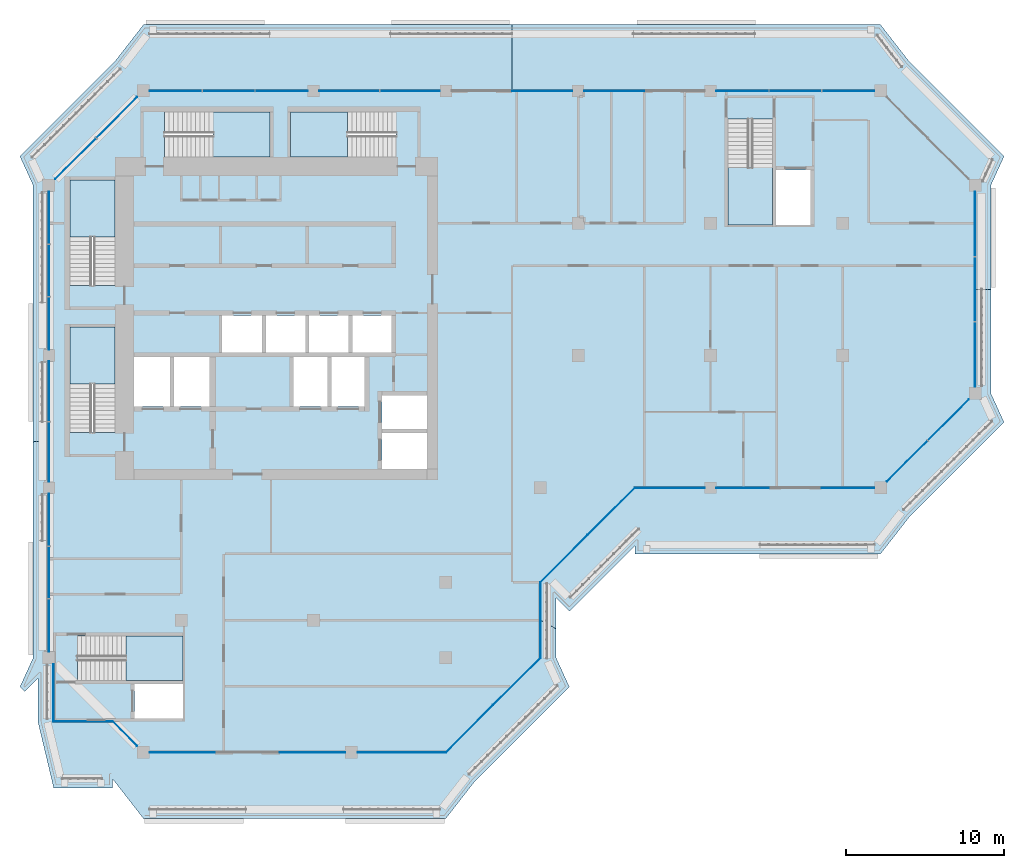
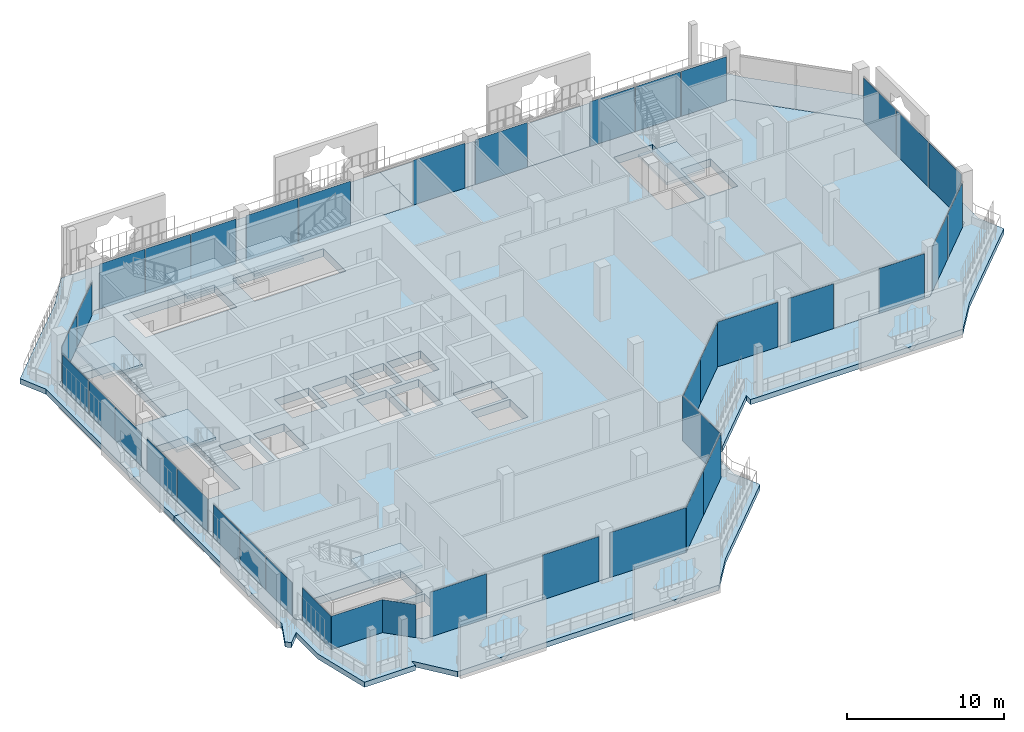
# One storey, part 9 of 21: 39 plates, 11 slabs, 19 elements without a shape of their own.
"""IFC4 building model written with IfcOpenShell, lengths in metres."""

import ifcopenshell
import ifcopenshell.guid

model = None  # the IFC model being written
_history = None  # IfcOwnerHistory: only IFC2X3 demands one
_inside = {}  # id of a spatial element -> (the spatial element, [elements in it])
_under = {}  # id of a project, library or spatial element -> (it, [spatial elements below it])
_declared = {}  # id of a project -> (the project, [libraries it declares])
_typed = {}  # id of a type object -> (the type object, [elements of that type])
_made_of = {}  # id of a material, layer set ... -> (it, [elements and type objects made of it])


def new_model(schema):
    """Start an empty IFC model of exactly this schema.

    Asked for "IFC4X3", IfcOpenShell would pick the latest addendum, in which some entities
    have other attributes; the version numbers below select the first issue.
    IFC2X3 requires an IfcOwnerHistory on every rooted entity: one is made here for all.
    """
    global model, _history
    if schema == "IFC4X3":
        model = ifcopenshell.file(schema_version=(4, 3, 0, 0))
    else:
        model = ifcopenshell.file(schema=schema)
    _inside.clear()
    _under.clear()
    _declared.clear()
    _typed.clear()
    _made_of.clear()
    _history = None
    if model.schema == "IFC2X3":
        org = make("IfcOrganization", Name="unknown")
        user = make(
            "IfcPersonAndOrganization",
            ThePerson=make("IfcPerson", FamilyName="unknown"),
            TheOrganization=org,
        )
        app = make(
            "IfcApplication",
            ApplicationDeveloper=org,
            Version="unknown",
            ApplicationFullName="unknown",
            ApplicationIdentifier="unknown",
        )
        _history = make(
            "IfcOwnerHistory",
            OwningUser=user,
            OwningApplication=app,
            ChangeAction="ADDED",
            CreationDate=0,
        )
    return model


def make(cls, **values):
    """One entity of the class cls with the attributes given. An attribute that is None is left unset."""
    return model.create_entity(
        cls, **{name: value for name, value in values.items() if value is not None}
    )


def rooted(cls, **values):
    """An entity with a GlobalId (a new one), such as an element, a storey or a relation."""
    return make(cls, GlobalId=ifcopenshell.guid.new(), OwnerHistory=_history, **values)


def si_unit(unit_type, name, prefix=None):
    """IfcSIUnit, for example si_unit("LENGTHUNIT", "METRE", prefix="MILLI")."""
    return make("IfcSIUnit", UnitType=unit_type, Prefix=prefix, Name=name)


def assignment(units):
    """IfcUnitAssignment: the units of a project."""
    return None if units is None else make("IfcUnitAssignment", Units=units)


def point(xyz):
    """IfcCartesianPoint."""
    return None if xyz is None else make("IfcCartesianPoint", Coordinates=xyz)


def direction(xyz):
    """IfcDirection."""
    return None if xyz is None else make("IfcDirection", DirectionRatios=xyz)


def frame(location, z_axis=None, x_axis=None):
    """IfcAxis2Placement3D, a coordinate frame: its origin and axes. An axis left out is left unset."""
    return make(
        "IfcAxis2Placement3D",
        Location=point(location),
        Axis=direction(z_axis),
        RefDirection=direction(x_axis),
    )


def frame_2d(location, x_axis=None):
    """IfcAxis2Placement2D, a coordinate frame in the plane: its origin and x axis."""
    return make(
        "IfcAxis2Placement2D", Location=point(location), RefDirection=direction(x_axis)
    )


def origin():
    """The frame at (0, 0, 0) with its axes left unset."""
    return frame((0.0, 0.0, 0.0))


def origin_2d():
    """The frame at (0, 0) in the plane with its x axis left unset."""
    return frame_2d((0.0, 0.0))


def place(relative_to, where):
    """IfcLocalPlacement: puts the frame where relative to a parent placement (None: the world)."""
    return make(
        "IfcLocalPlacement", PlacementRelTo=relative_to, RelativePlacement=where
    )


def context(
    kind, dimensions, precision=None, world=None, true_north=None, identifier=None
):
    """IfcGeometricRepresentationContext, for example the 3D "Model" context."""
    return make(
        "IfcGeometricRepresentationContext",
        ContextIdentifier=identifier,
        ContextType=kind,
        CoordinateSpaceDimension=dimensions,
        Precision=precision,
        WorldCoordinateSystem=world,
        TrueNorth=true_north,
    )


def subcontext(parent, identifier, kind, view, scale=None):
    """IfcGeometricRepresentationSubContext, for example "Body" below "Model"."""
    return make(
        "IfcGeometricRepresentationSubContext",
        ContextIdentifier=identifier,
        ContextType=kind,
        ParentContext=parent,
        TargetScale=scale,
        TargetView=view,
    )


def project(units=None, contexts=None):
    """IfcProject with its units and contexts."""
    return rooted(
        "IfcProject",
        Name="project",
        RepresentationContexts=contexts,
        UnitsInContext=assignment(units),
    )


def spatial(cls, under=None, at=None, **own):
    """A site, building, storey or space (cls), placed at a placement, below another one or the project."""
    s = rooted(cls, ObjectPlacement=at, **own)
    if under is not None:
        _under.setdefault(under.id(), (under, []))[1].append(s)
    return s


def polyline(points):
    """IfcPolyline through the points."""
    return make("IfcPolyline", Points=[point(p) for p in points])


def profile(cls, at=None, kind="AREA", **sizes):
    """A parametric profile (cls). Its sizes go by their IFC names, for example OverallWidth=200.0."""
    return make(cls, ProfileType=kind, Position=at, **sizes)


def rectangle(**sizes):
    """IfcRectangleProfileDef."""
    return profile("IfcRectangleProfileDef", **sizes)


def outline(outer, holes=None, kind="AREA"):
    """IfcArbitraryClosedProfileDef: a profile drawn as a closed curve; with holes, ...WithVoids."""
    if holes is None:
        return make("IfcArbitraryClosedProfileDef", ProfileType=kind, OuterCurve=outer)
    return make(
        "IfcArbitraryProfileDefWithVoids",
        ProfileType=kind,
        OuterCurve=outer,
        InnerCurves=holes,
    )


def extrude(swept, where, along, depth):
    """IfcExtrudedAreaSolid: the profile swept, set in the frame where, extruded along a direction by depth."""
    return make(
        "IfcExtrudedAreaSolid",
        SweptArea=swept,
        Position=where,
        ExtrudedDirection=direction(along),
        Depth=depth,
    )


def shape(context_of_items, identifier, shape_type, items):
    """IfcShapeRepresentation: the items that make up one representation, for example the "Body"."""
    return make(
        "IfcShapeRepresentation",
        ContextOfItems=context_of_items,
        RepresentationIdentifier=identifier,
        RepresentationType=shape_type,
        Items=items,
    )


def material(Name=None, Category=None):
    """IfcMaterial."""
    return make("IfcMaterial", Name=Name, Category=Category)


def layer(
    of_material, thickness, ventilated=None, Name=None, Category=None, Priority=None
):
    """IfcMaterialLayer: one layer of a wall or slab, of a material (None: an air gap)."""
    return make(
        "IfcMaterialLayer",
        Material=of_material,
        LayerThickness=thickness,
        IsVentilated=ventilated,
        Name=Name,
        Category=Category,
        Priority=Priority,
    )


def layer_set(layers, Name=None):
    """IfcMaterialLayerSet."""
    return make("IfcMaterialLayerSet", MaterialLayers=layers, LayerSetName=Name)


def made_of(thing, what):
    """Note that an element or type object is made of a material, layer set ...; save() writes the relation."""
    if what is not None:
        _made_of.setdefault(what.id(), (what, []))[1].append(thing)
    return thing


def type_object(cls, material=None, **own):
    """A type object (cls), such as IfcWallType, which elements share."""
    return made_of(rooted(cls, **own), material)


def element(
    cls,
    number,
    at=None,
    inside=None,
    cuts=None,
    type_object=None,
    material=None,
    context=None,
    identifier="Body",
    shape_type=None,
    held_by="IfcProductDefinitionShape",
    body=None,
    shapes=None,
    **own,
):
    """One element of the class cls, such as IfcWall. Its Tag is "e" and its number.

    at: its placement. inside: the storey or other place that contains it. cuts: it is an
    opening in that element (IfcRelVoidsElement). A single representation is given by context,
    identifier, shape_type and body (its items); several are given by shapes. held_by: the class
    of the entity that holds the representations. save() writes the other relations.
    """
    e = rooted(cls, Tag="e%d" % number, ObjectPlacement=at, **own)
    if body is not None:
        shapes = [shape(context, identifier, shape_type, body)]
    if shapes is not None:
        e.Representation = make(held_by, Representations=shapes)
    if inside is not None:
        _inside.setdefault(inside.id(), (inside, []))[1].append(e)
    if cuts is not None:
        rooted(
            "IfcRelVoidsElement", RelatingBuildingElement=cuts, RelatedOpeningElement=e
        )
    if type_object is not None:
        _typed.setdefault(type_object.id(), (type_object, []))[1].append(e)
    return made_of(e, material)


def aggregate(whole, parts):
    """IfcRelAggregates: a whole, such as a stair, and the parts it consists of."""
    return rooted("IfcRelAggregates", RelatingObject=whole, RelatedObjects=parts)


def save(model, path):
    """Write the relations noted so far, then the file.

    IfcRelAggregates (storeys below a building ...), IfcRelContainedInSpatialStructure (elements
    in a storey), IfcRelDefinesByType, IfcRelAssociatesMaterial and IfcRelDeclares: one each for
    every whole, place, type object, material and project.
    """
    for whole, parts in _under.values():
        aggregate(whole, parts)
    for where, things in _inside.values():
        rooted(
            "IfcRelContainedInSpatialStructure",
            RelatedElements=things,
            RelatingStructure=where,
        )
    for kind, things in _typed.values():
        rooted("IfcRelDefinesByType", RelatedObjects=things, RelatingType=kind)
    for what, things in _made_of.values():
        rooted("IfcRelAssociatesMaterial", RelatedObjects=things, RelatingMaterial=what)
    for by, libraries in _declared.values():
        rooted("IfcRelDeclares", RelatingContext=by, RelatedDefinitions=libraries)
    model.write(path)


model = new_model("IFC4")

# Units and contexts
model_context = context("Model", 3, precision=1e-05, world=origin(), true_north=direction((0.0, 1.0)))
body_context = subcontext(model_context, "Body", "Model", "MODEL_VIEW")
ifc_project = project(units=[si_unit("LENGTHUNIT", "METRE"), si_unit("AREAUNIT", "SQUARE_METRE"), si_unit("VOLUMEUNIT", "CUBIC_METRE"), si_unit("PLANEANGLEUNIT", "RADIAN"), si_unit("MASSUNIT", "GRAM", prefix="KILO")], contexts=[model_context])

# Site, building, storey
site_placement = place(None, origin())
site = spatial("IfcSite", under=ifc_project, at=site_placement, CompositionType="ELEMENT")
building_placement = place(site_placement, origin())
building = spatial("IfcBuilding", under=site, at=building_placement, Name="Kawkab Arch Medical Tower", CompositionType="ELEMENT")
storey_placement = place(building_placement, frame((0.0, 0.0, 311.199951171875)))
storey = spatial("IfcBuildingStorey", under=building, at=storey_placement, Name="L72", CompositionType="ELEMENT", Elevation=311.199951171875)

# Curtain wall, plates
ifc_material_1 = material(Name="Bronze anodised aluminium curtain wall frame", Category="aluminium")
ifc_layer_1 = layer(ifc_material_1, 0.159912109375)
ifc_layer_set_1 = layer_set([ifc_layer_1], Name="Bronze anodised aluminium curtain wall frame")
curtain_wall_type_1 = type_object("IfcCurtainWallType", Name="CW1 ward curtain wall", PredefinedType="NOTDEFINED", material=ifc_layer_set_1)
placement_1 = place(storey_placement, origin())
curtain_wall_1 = element("IfcCurtainWall", 1, at=placement_1, inside=storey, type_object=curtain_wall_type_1, Name="CW1 Ward curtain wall R02", PredefinedType="NOTDEFINED")
ifc_material_2 = material(Name="Tinted insulating glass, bronze low-e coating", Category="glass")
ifc_layer_2 = layer(ifc_material_2, 0.031982421875)
ifc_layer_set_2 = layer_set([ifc_layer_2], Name="Tinted insulating glass, bronze low-e coating")
plate_type_1 = type_object("IfcPlateType", Name="CW1 glazing unit 32", PredefinedType="CURTAIN_PANEL", material=ifc_layer_set_2)
plate_1_placement = place(storey_placement, frame((0.0, -8.055908203125, 0.0), z_axis=(0.0, 0.0, 1.0), x_axis=(0.0, -1.0, 0.0)))
plate_1 = element("IfcPlate", 2, at=plate_1_placement, type_object=plate_type_1, Name="CW1 glazing unit 1.1", PredefinedType="CURTAIN_PANEL", context=body_context, shape_type="SweptSolid", body=[
    extrude(rectangle(XDim=3.311767578125, YDim=0.031982421875, at=origin_2d()), origin(), (0.0, 0.0, 1.0), 2.580078125),
])
plate_2_placement = place(storey_placement, frame((0.0, -11.41259765625, 0.0), z_axis=(0.0, 0.0, 1.0), x_axis=(0.0, -1.0, 0.0)))
plate_2 = element("IfcPlate", 3, at=plate_2_placement, type_object=plate_type_1, Name="CW1 glazing unit 1.2", PredefinedType="CURTAIN_PANEL", context=body_context, shape_type="SweptSolid", body=[
    extrude(rectangle(XDim=3.28173828125, YDim=0.031982421875, at=origin_2d()), origin(), (0.0, 0.0, 1.0), 2.580078125),
])
plate_3_placement = place(storey_placement, frame((0.0, -14.769287109375, 0.0), z_axis=(0.0, 0.0, 1.0), x_axis=(0.0, -1.0, 0.0)))
plate_3 = element("IfcPlate", 4, at=plate_3_placement, type_object=plate_type_1, Name="CW1 glazing unit 1.3", PredefinedType="CURTAIN_PANEL", context=body_context, shape_type="SweptSolid", body=[
    extrude(rectangle(XDim=3.311767578125, YDim=0.031982421875, at=origin_2d()), origin(), (0.0, 0.0, 1.0), 2.580078125),
])
plate_4_placement = place(storey_placement, frame((0.0, -19.072509765625, 0.0), z_axis=(0.0, 0.0, 1.0), x_axis=(0.0, -1.0, 0.0)))
plate_4 = element("IfcPlate", 5, at=plate_4_placement, type_object=plate_type_1, Name="CW1 glazing unit 2.1", PredefinedType="CURTAIN_PANEL", context=body_context, shape_type="SweptSolid", body=[
    extrude(rectangle(XDim=3.794921875, YDim=0.031982421875, at=origin_2d()), origin(), (0.0, 0.0, 1.0), 2.580078125),
])
plate_5_placement = place(storey_placement, frame((0.0, -22.927490234375, 0.0), z_axis=(0.0, 0.0, 1.0), x_axis=(0.0, -1.0, 0.0)))
plate_5 = element("IfcPlate", 6, at=plate_5_placement, type_object=plate_type_1, Name="CW1 glazing unit 2.2", PredefinedType="CURTAIN_PANEL", context=body_context, shape_type="SweptSolid", body=[
    extrude(rectangle(XDim=3.794921875, YDim=0.031982421875, at=origin_2d()), origin(), (0.0, 0.0, 1.0), 2.580078125),
])
plate_6_placement = place(storey_placement, frame((0.0, -27.230712890625, 0.0), z_axis=(0.0, 0.0, 1.0), x_axis=(0.0, -1.0, 0.0)))
plate_6 = element("IfcPlate", 7, at=plate_6_placement, type_object=plate_type_1, Name="CW1 glazing unit 3.1", PredefinedType="CURTAIN_PANEL", context=body_context, shape_type="SweptSolid", body=[
    extrude(rectangle(XDim=3.311767578125, YDim=0.031982421875, at=origin_2d()), origin(), (0.0, 0.0, 1.0), 2.580078125),
])
plate_7_placement = place(storey_placement, frame((0.0, -30.58740234375, 0.0), z_axis=(0.0, 0.0, 1.0), x_axis=(0.0, -1.0, 0.0)))
plate_7 = element("IfcPlate", 8, at=plate_7_placement, type_object=plate_type_1, Name="CW1 glazing unit 3.2", PredefinedType="CURTAIN_PANEL", context=body_context, shape_type="SweptSolid", body=[
    extrude(rectangle(XDim=3.28173828125, YDim=0.031982421875, at=origin_2d()), origin(), (0.0, 0.0, 1.0), 2.580078125),
])
plate_8_placement = place(storey_placement, frame((0.0, -33.944091796875, 0.0), z_axis=(0.0, 0.0, 1.0), x_axis=(0.0, -1.0, 0.0)))
plate_8 = element("IfcPlate", 9, at=plate_8_placement, type_object=plate_type_1, Name="CW1 glazing unit 3.3", PredefinedType="CURTAIN_PANEL", context=body_context, shape_type="SweptSolid", body=[
    extrude(rectangle(XDim=3.311767578125, YDim=0.031982421875, at=origin_2d()), origin(), (0.0, 0.0, 1.0), 2.580078125),
])
aggregate(curtain_wall_1, [plate_1, plate_2, plate_3, plate_4, plate_5, plate_6, plate_7, plate_8])

# Curtain wall, plate
curtain_wall_2 = element("IfcCurtainWall", 10, at=placement_1, inside=storey, type_object=curtain_wall_type_1, Name="CW1 Ward curtain wall R04", PredefinedType="NOTDEFINED")
plate_9_placement = place(storey_placement, frame((0.300048828125, -38.22509765625, 0.0), z_axis=(0.0, 0.0, 1.0), x_axis=(0.0, -1.0, 0.0)))
plate_9 = element("IfcPlate", 11, at=plate_9_placement, type_object=plate_type_1, Name="CW1 glazing unit 1.1", PredefinedType="CURTAIN_PANEL", context=body_context, shape_type="SweptSolid", body=[
    extrude(rectangle(XDim=3.64990234375, YDim=0.031982421875, at=origin_2d()), origin(), (0.0, 0.0, 1.0), 2.580078125),
])
aggregate(curtain_wall_2, [plate_9])

curtain_wall_3 = element("IfcCurtainWall", 12, at=placement_1, inside=storey, type_object=curtain_wall_type_1, Name="CW1 Ward curtain wall R05", PredefinedType="NOTDEFINED")
plate_10_placement = place(storey_placement, frame((2.175048828125, -40.050048828125, 0.0), z_axis=(0.0, 0.0, 1.0), x_axis=(1.0, 0.0, 0.0)))
plate_10 = element("IfcPlate", 13, at=plate_10_placement, type_object=plate_type_1, Name="CW1 glazing unit 1.1", PredefinedType="CURTAIN_PANEL", context=body_context, shape_type="SweptSolid", body=[
    extrude(rectangle(XDim=3.75, YDim=0.031982421875, at=origin_2d()), origin(), (0.0, 0.0, 1.0), 2.580078125),
])
aggregate(curtain_wall_3, [plate_10])

# Curtain wall, plates
curtain_wall_4 = element("IfcCurtainWall", 14, at=placement_1, inside=storey, type_object=curtain_wall_type_1, Name="CW1 Ward curtain wall R07", PredefinedType="NOTDEFINED")
plate_11_placement = place(storey_placement, frame((8.466552734375, -42.0, 0.0), z_axis=(0.0, 0.0, 1.0), x_axis=(1.0, 0.0, 0.0)))
plate_11 = element("IfcPlate", 15, at=plate_11_placement, type_object=plate_type_1, Name="CW1 glazing unit 1.1", PredefinedType="CURTAIN_PANEL", context=body_context, shape_type="SweptSolid", body=[
    extrude(rectangle(XDim=4.13330078125, YDim=0.031982421875, at=origin_2d()), origin(), (0.0, 0.0, 1.0), 3.47998046875),
])
plate_12_placement = place(storey_placement, frame((16.7333984375, -42.0, 0.0), z_axis=(0.0, 0.0, 1.0), x_axis=(1.0, 0.0, 0.0)))
plate_12 = element("IfcPlate", 16, at=plate_12_placement, type_object=plate_type_1, Name="CW1 glazing unit 1.3", PredefinedType="CURTAIN_PANEL", context=body_context, shape_type="SweptSolid", body=[
    extrude(rectangle(XDim=4.13330078125, YDim=0.031982421875, at=origin_2d()), origin(), (0.0, 0.0, 1.0), 3.47998046875),
])
plate_13_placement = place(storey_placement, frame((22.39990234375, -42.0, 0.0), z_axis=(0.0, 0.0, 1.0), x_axis=(1.0, 0.0, 0.0)))
plate_13 = element("IfcPlate", 17, at=plate_13_placement, type_object=plate_type_1, Name="CW1 glazing unit 2.1", PredefinedType="CURTAIN_PANEL", context=body_context, shape_type="SweptSolid", body=[
    extrude(rectangle(XDim=5.60009765625, YDim=0.031982421875, at=origin_2d()), origin(), (0.0, 0.0, 1.0), 3.47998046875),
])
aggregate(curtain_wall_4, [plate_11, plate_12, plate_13])

# Curtain wall, plate
curtain_wall_5 = element("IfcCurtainWall", 18, at=placement_1, inside=storey, type_object=curtain_wall_type_1, Name="CW1 Ward curtain wall R09", PredefinedType="NOTDEFINED")
plate_14_placement = place(storey_placement, frame((31.199951171875, -33.60009765625, 0.0), z_axis=(0.0, 0.0, 1.0), x_axis=(0.0, 1.0, 0.0)))
plate_14 = element("IfcPlate", 19, at=plate_14_placement, type_object=plate_type_1, Name="CW1 glazing unit 1.1", PredefinedType="CURTAIN_PANEL", context=body_context, shape_type="SweptSolid", body=[
    extrude(rectangle(XDim=4.800048828125, YDim=0.031982421875, at=origin_2d()), origin(), (0.0, 0.0, 1.0), 3.47998046875),
])
aggregate(curtain_wall_5, [plate_14])

# Curtain wall, plates
curtain_wall_6 = element("IfcCurtainWall", 20, at=placement_1, inside=storey, type_object=curtain_wall_type_1, Name="CW1 Ward curtain wall R11", PredefinedType="NOTDEFINED")
plate_15_placement = place(storey_placement, frame((39.41259765625, -25.199951171875, 0.0), z_axis=(0.0, 0.0, 1.0), x_axis=(1.0, 0.0, 0.0)))
plate_15 = element("IfcPlate", 21, at=plate_15_placement, type_object=plate_type_1, Name="CW1 glazing unit 1.1", PredefinedType="CURTAIN_PANEL", context=body_context, shape_type="SweptSolid", body=[
    extrude(rectangle(XDim=4.425048828125, YDim=0.031982421875, at=origin_2d()), origin(), (0.0, 0.0, 1.0), 3.47998046875),
])
plate_16_placement = place(storey_placement, frame((44.0458984375, -25.199951171875, 0.0), z_axis=(0.0, 0.0, 1.0), x_axis=(1.0, 0.0, 0.0)))
plate_16 = element("IfcPlate", 22, at=plate_16_placement, type_object=plate_type_1, Name="CW1 glazing unit 2.1", PredefinedType="CURTAIN_PANEL", context=body_context, shape_type="SweptSolid", body=[
    extrude(rectangle(XDim=3.341552734375, YDim=0.031982421875, at=origin_2d()), origin(), (0.0, 0.0, 1.0), 3.47998046875),
])
plate_17_placement = place(storey_placement, frame((50.729248046875, -25.199951171875, 0.0), z_axis=(0.0, 0.0, 1.0), x_axis=(1.0, 0.0, 0.0)))
plate_17 = element("IfcPlate", 23, at=plate_17_placement, type_object=plate_type_1, Name="CW1 glazing unit 2.3", PredefinedType="CURTAIN_PANEL", context=body_context, shape_type="SweptSolid", body=[
    extrude(rectangle(XDim=3.341552734375, YDim=0.031982421875, at=origin_2d()), origin(), (0.0, 0.0, 1.0), 3.47998046875),
])
aggregate(curtain_wall_6, [plate_15, plate_16, plate_17])

curtain_wall_7 = element("IfcCurtainWall", 24, at=placement_1, inside=storey, type_object=curtain_wall_type_1, Name="CW1 Ward curtain wall R13", PredefinedType="NOTDEFINED")
plate_18_placement = place(storey_placement, frame((58.800048828125, -16.748291015625, 0.0), z_axis=(0.0, 0.0, 1.0), x_axis=(0.0, 1.0, 0.0)))
plate_18 = element("IfcPlate", 25, at=plate_18_placement, type_object=plate_type_1, Name="CW1 glazing unit 1.1", PredefinedType="CURTAIN_PANEL", context=body_context, shape_type="SweptSolid", body=[
    extrude(rectangle(XDim=4.103271484375, YDim=0.031982421875, at=origin_2d()), origin(), (0.0, 0.0, 1.0), 3.47998046875),
])
plate_19_placement = place(storey_placement, frame((58.800048828125, -12.60009765625, 0.0), z_axis=(0.0, 0.0, 1.0), x_axis=(0.0, 1.0, 0.0)))
plate_19 = element("IfcPlate", 26, at=plate_19_placement, type_object=plate_type_1, Name="CW1 glazing unit 1.2", PredefinedType="CURTAIN_PANEL", context=body_context, shape_type="SweptSolid", body=[
    extrude(rectangle(XDim=4.0732421875, YDim=0.031982421875, at=origin_2d()), origin(), (0.0, 0.0, 1.0), 3.47998046875),
])
plate_20_placement = place(storey_placement, frame((58.800048828125, -8.45166015625, 0.0), z_axis=(0.0, 0.0, 1.0), x_axis=(0.0, 1.0, 0.0)))
plate_20 = element("IfcPlate", 27, at=plate_20_placement, type_object=plate_type_1, Name="CW1 glazing unit 1.3", PredefinedType="CURTAIN_PANEL", context=body_context, shape_type="SweptSolid", body=[
    extrude(rectangle(XDim=4.103271484375, YDim=0.031982421875, at=origin_2d()), origin(), (0.0, 0.0, 1.0), 3.47998046875),
])
aggregate(curtain_wall_7, [plate_18, plate_19, plate_20])

curtain_wall_8 = element("IfcCurtainWall", 28, at=placement_1, inside=storey, type_object=curtain_wall_type_1, Name="CW1 Ward curtain wall R15", PredefinedType="NOTDEFINED")
plate_21_placement = place(storey_placement, frame((50.744140625, 0.0, 0.0), z_axis=(0.0, 0.0, 1.0), x_axis=(-1.0, 0.0, 0.0)))
plate_21 = element("IfcPlate", 29, at=plate_21_placement, type_object=plate_type_1, Name="CW1 glazing unit 1.1", PredefinedType="CURTAIN_PANEL", context=body_context, shape_type="SweptSolid", body=[
    extrude(rectangle(XDim=3.311767578125, YDim=0.031982421875, at=origin_2d()), origin(), (0.0, 0.0, 1.0), 3.47998046875),
])
plate_22_placement = place(storey_placement, frame((47.387451171875, 0.0, 0.0), z_axis=(0.0, 0.0, 1.0), x_axis=(-1.0, 0.0, 0.0)))
plate_22 = element("IfcPlate", 30, at=plate_22_placement, type_object=plate_type_1, Name="CW1 glazing unit 1.2", PredefinedType="CURTAIN_PANEL", context=body_context, shape_type="SweptSolid", body=[
    extrude(rectangle(XDim=3.28173828125, YDim=0.031982421875, at=origin_2d()), origin(), (0.0, 0.0, 1.0), 3.47998046875),
])
plate_23_placement = place(storey_placement, frame((44.03076171875, 0.0, 0.0), z_axis=(0.0, 0.0, 1.0), x_axis=(-1.0, 0.0, 0.0)))
plate_23 = element("IfcPlate", 31, at=plate_23_placement, type_object=plate_type_1, Name="CW1 glazing unit 1.3", PredefinedType="CURTAIN_PANEL", context=body_context, shape_type="SweptSolid", body=[
    extrude(rectangle(XDim=3.311767578125, YDim=0.031982421875, at=origin_2d()), origin(), (0.0, 0.0, 1.0), 3.47998046875),
])
plate_24_placement = place(storey_placement, frame((35.887451171875, 0.0, 0.0), z_axis=(0.0, 0.0, 1.0), x_axis=(-1.0, 0.0, 0.0)))
plate_24 = element("IfcPlate", 32, at=plate_24_placement, type_object=plate_type_1, Name="CW1 glazing unit 2.2", PredefinedType="CURTAIN_PANEL", context=body_context, shape_type="SweptSolid", body=[
    extrude(rectangle(XDim=3.824951171875, YDim=0.031982421875, at=origin_2d()), origin(), (0.0, 0.0, 1.0), 3.47998046875),
])
plate_25_placement = place(storey_placement, frame((31.3125, 0.0, 0.0), z_axis=(0.0, 0.0, 1.0), x_axis=(-1.0, 0.0, 0.0)))
plate_25 = element("IfcPlate", 33, at=plate_25_placement, type_object=plate_type_1, Name="CW1 glazing unit 3.1", PredefinedType="CURTAIN_PANEL", context=body_context, shape_type="SweptSolid", body=[
    extrude(rectangle(XDim=3.824951171875, YDim=0.031982421875, at=origin_2d()), origin(), (0.0, 0.0, 1.0), 3.47998046875),
])
plate_26_placement = place(storey_placement, frame((22.927490234375, 0.0, 0.0), z_axis=(0.0, 0.0, 1.0), x_axis=(-1.0, 0.0, 0.0)))
plate_26 = element("IfcPlate", 34, at=plate_26_placement, type_object=plate_type_1, Name="CW1 glazing unit 4.1", PredefinedType="CURTAIN_PANEL", context=body_context, shape_type="SweptSolid", body=[
    extrude(rectangle(XDim=3.794921875, YDim=0.031982421875, at=origin_2d()), origin(), (0.0, 0.0, 1.0), 3.47998046875),
])
plate_27_placement = place(storey_placement, frame((19.072509765625, 0.0, 0.0), z_axis=(0.0, 0.0, 1.0), x_axis=(-1.0, 0.0, 0.0)))
plate_27 = element("IfcPlate", 35, at=plate_27_placement, type_object=plate_type_1, Name="CW1 glazing unit 4.2", PredefinedType="CURTAIN_PANEL", context=body_context, shape_type="SweptSolid", body=[
    extrude(rectangle(XDim=3.794921875, YDim=0.031982421875, at=origin_2d()), origin(), (0.0, 0.0, 1.0), 3.47998046875),
])
plate_28_placement = place(storey_placement, frame((14.769287109375, 0.0, 0.0), z_axis=(0.0, 0.0, 1.0), x_axis=(-1.0, 0.0, 0.0)))
plate_28 = element("IfcPlate", 36, at=plate_28_placement, type_object=plate_type_1, Name="CW1 glazing unit 5.1", PredefinedType="CURTAIN_PANEL", context=body_context, shape_type="SweptSolid", body=[
    extrude(rectangle(XDim=3.311767578125, YDim=0.031982421875, at=origin_2d()), origin(), (0.0, 0.0, 1.0), 3.47998046875),
])
plate_29_placement = place(storey_placement, frame((11.41259765625, 0.0, 0.0), z_axis=(0.0, 0.0, 1.0), x_axis=(-1.0, 0.0, 0.0)))
plate_29 = element("IfcPlate", 37, at=plate_29_placement, type_object=plate_type_1, Name="CW1 glazing unit 5.2", PredefinedType="CURTAIN_PANEL", context=body_context, shape_type="SweptSolid", body=[
    extrude(rectangle(XDim=3.28173828125, YDim=0.031982421875, at=origin_2d()), origin(), (0.0, 0.0, 1.0), 3.47998046875),
])
plate_30_placement = place(storey_placement, frame((8.055908203125, 0.0, 0.0), z_axis=(0.0, 0.0, 1.0), x_axis=(-1.0, 0.0, 0.0)))
plate_30 = element("IfcPlate", 38, at=plate_30_placement, type_object=plate_type_1, Name="CW1 glazing unit 5.3", PredefinedType="CURTAIN_PANEL", context=body_context, shape_type="SweptSolid", body=[
    extrude(rectangle(XDim=3.311767578125, YDim=0.031982421875, at=origin_2d()), origin(), (0.0, 0.0, 1.0), 3.47998046875),
])
aggregate(curtain_wall_8, [plate_21, plate_22, plate_23, plate_24, plate_25, plate_26, plate_27, plate_28, plate_29, plate_30])

ifc_material_3 = material(Name="Bronze anodised aluminium curtain wall frame", Category="aluminium")
ifc_layer_3 = layer(ifc_material_3, 0.159912109375)
ifc_layer_set_3 = layer_set([ifc_layer_3], Name="Bronze anodised aluminium curtain wall frame")
curtain_wall_type_2 = type_object("IfcCurtainWallType", Name="CW2 chamfer curtain wall", PredefinedType="NOTDEFINED", material=ifc_layer_set_3)
curtain_wall_9 = element("IfcCurtainWall", 39, at=placement_1, inside=storey, type_object=curtain_wall_type_2, Name="CW2 Chamfer curtain wall R01", PredefinedType="NOTDEFINED")
ifc_material_4 = material(Name="Tinted insulating glass, bronze low-e coating", Category="glass")
ifc_layer_4 = layer(ifc_material_4, 0.031982421875)
ifc_layer_set_4 = layer_set([ifc_layer_4], Name="Tinted insulating glass, bronze low-e coating")
plate_type_2 = type_object("IfcPlateType", Name="CW2 glazing unit 32", PredefinedType="CURTAIN_PANEL", material=ifc_layer_set_4)
plate_31_placement = place(storey_placement, frame((4.310546875, -1.689453125, 0.0), z_axis=(0.0, 0.0, 1.0), x_axis=(-0.707106781187, -0.707106781187, 0.0)))
plate_31 = element("IfcPlate", 40, at=plate_31_placement, type_object=plate_type_2, Name="CW2 glazing unit 1.1", PredefinedType="CURTAIN_PANEL", context=body_context, shape_type="SweptSolid", body=[
    extrude(rectangle(XDim=3.64697265625, YDim=0.031982421875, at=origin_2d()), origin(), (0.0, 0.0, 1.0), 2.56005859375),
])
plate_32_placement = place(storey_placement, frame((1.689453125, -4.310546875, 0.0), z_axis=(0.0, 0.0, 1.0), x_axis=(-0.707106781187, -0.707106781187, 0.0)))
plate_32 = element("IfcPlate", 41, at=plate_32_placement, type_object=plate_type_2, Name="CW2 glazing unit 1.2", PredefinedType="CURTAIN_PANEL", context=body_context, shape_type="SweptSolid", body=[
    extrude(rectangle(XDim=3.64697265625, YDim=0.031982421875, at=origin_2d()), origin(), (0.0, 0.0, 1.0), 2.56005859375),
])
aggregate(curtain_wall_9, [plate_31, plate_32])

# Curtain wall, plate
curtain_wall_10 = element("IfcCurtainWall", 42, at=placement_1, inside=storey, type_object=curtain_wall_type_2, Name="CW2 Chamfer curtain wall R06", PredefinedType="NOTDEFINED")
plate_33_placement = place(storey_placement, frame((4.824951171875, -40.824951171875, 0.0), z_axis=(0.0, 0.0, 1.0), x_axis=(0.707106781187, -0.707106781187, 0.0)))
plate_33 = element("IfcPlate", 43, at=plate_33_placement, type_object=plate_type_2, Name="CW2 glazing unit 1.1", PredefinedType="CURTAIN_PANEL", context=body_context, shape_type="SweptSolid", body=[
    extrude(rectangle(XDim=2.192138671875, YDim=0.031982421875, at=origin_2d()), origin(), (0.0, 0.0, 1.0), 2.56005859375),
])
aggregate(curtain_wall_10, [plate_33])

# Curtain wall, plates
curtain_wall_11 = element("IfcCurtainWall", 44, at=placement_1, inside=storey, type_object=curtain_wall_type_2, Name="CW2 Chamfer curtain wall R08", PredefinedType="NOTDEFINED")
plate_34_placement = place(storey_placement, frame((26.699951171875, -40.5, 0.0), z_axis=(0.0, 0.0, 1.0), x_axis=(0.707106781187, 0.707106781187, 0.0)))
plate_34 = element("IfcPlate", 45, at=plate_34_placement, type_object=plate_type_2, Name="CW2 glazing unit 1.1", PredefinedType="CURTAIN_PANEL", context=body_context, shape_type="SweptSolid", body=[
    extrude(rectangle(XDim=4.24267578125, YDim=0.031982421875, at=origin_2d()), origin(), (0.0, 0.0, 1.0), 3.4599609375),
])
plate_35_placement = place(storey_placement, frame((29.699951171875, -37.5, 0.0), z_axis=(0.0, 0.0, 1.0), x_axis=(0.707106781187, 0.707106781187, 0.0)))
plate_35 = element("IfcPlate", 46, at=plate_35_placement, type_object=plate_type_2, Name="CW2 glazing unit 2.1", PredefinedType="CURTAIN_PANEL", context=body_context, shape_type="SweptSolid", body=[
    extrude(rectangle(XDim=4.24267578125, YDim=0.031982421875, at=origin_2d()), origin(), (0.0, 0.0, 1.0), 3.4599609375),
])
aggregate(curtain_wall_11, [plate_34, plate_35])

curtain_wall_12 = element("IfcCurtainWall", 47, at=placement_1, inside=storey, type_object=curtain_wall_type_2, Name="CW2 Chamfer curtain wall R10", PredefinedType="NOTDEFINED")
plate_36_placement = place(storey_placement, frame((32.699951171875, -29.699951171875, 0.0), z_axis=(0.0, 0.0, 1.0), x_axis=(0.707106781187, 0.707106781187, 0.0)))
plate_36 = element("IfcPlate", 48, at=plate_36_placement, type_object=plate_type_2, Name="CW2 glazing unit 1.1", PredefinedType="CURTAIN_PANEL", context=body_context, shape_type="SweptSolid", body=[
    extrude(rectangle(XDim=4.24267578125, YDim=0.031982421875, at=origin_2d()), origin(), (0.0, 0.0, 1.0), 3.4599609375),
])
plate_37_placement = place(storey_placement, frame((35.699951171875, -26.699951171875, 0.0), z_axis=(0.0, 0.0, 1.0), x_axis=(0.707106781187, 0.707106781187, 0.0)))
plate_37 = element("IfcPlate", 49, at=plate_37_placement, type_object=plate_type_2, Name="CW2 glazing unit 2.1", PredefinedType="CURTAIN_PANEL", context=body_context, shape_type="SweptSolid", body=[
    extrude(rectangle(XDim=4.24267578125, YDim=0.031982421875, at=origin_2d()), origin(), (0.0, 0.0, 1.0), 3.4599609375),
])
aggregate(curtain_wall_12, [plate_36, plate_37])

curtain_wall_13 = element("IfcCurtainWall", 50, at=placement_1, inside=storey, type_object=curtain_wall_type_2, Name="CW2 Chamfer curtain wall R12", PredefinedType="NOTDEFINED")
plate_38_placement = place(storey_placement, frame((54.489501953125, -23.510498046875, 0.0), z_axis=(0.0, 0.0, 1.0), x_axis=(0.707106781187, 0.707106781187, 0.0)))
plate_38 = element("IfcPlate", 51, at=plate_38_placement, type_object=plate_type_2, Name="CW2 glazing unit 1.1", PredefinedType="CURTAIN_PANEL", context=body_context, shape_type="SweptSolid", body=[
    extrude(rectangle(XDim=3.64697265625, YDim=0.031982421875, at=origin_2d()), origin(), (0.0, 0.0, 1.0), 3.4599609375),
])
plate_39_placement = place(storey_placement, frame((57.110595703125, -20.889404296875, 0.0), z_axis=(0.0, 0.0, 1.0), x_axis=(0.707106781187, 0.707106781187, 0.0)))
plate_39 = element("IfcPlate", 52, at=plate_39_placement, type_object=plate_type_2, Name="CW2 glazing unit 1.2", PredefinedType="CURTAIN_PANEL", context=body_context, shape_type="SweptSolid", body=[
    extrude(rectangle(XDim=3.64697265625, YDim=0.031982421875, at=origin_2d()), origin(), (0.0, 0.0, 1.0), 3.4599609375),
])
aggregate(curtain_wall_13, [plate_38, plate_39])

# Stair, slab
ifc_material_5 = material(Name="Concrete C40/50", Category="concrete")
stair_type = type_object("IfcStairType", Name="Exit stair 1350", PredefinedType="HALF_TURN_STAIR", material=ifc_material_5)
stair_1 = element("IfcStair", 53, at=placement_1, inside=storey, type_object=stair_type, Name="L72 Exit stair ST1", PredefinedType="HALF_TURN_STAIR")
ifc_material_6 = material(Name="Concrete C40/50", Category="concrete")
ifc_layer_5 = layer(ifc_material_6, 0.199951171875)
ifc_layer_set_5 = layer_set([ifc_layer_5], Name="Concrete C40/50")
slab_type_1 = type_object("IfcSlabType", Name="Exit stair landing 200", PredefinedType="LANDING", material=ifc_layer_set_5)
placement_2 = place(storey_placement, frame((0.0, 0.0, 1.900146484375)))
slab_1 = element("IfcSlab", 54, at=placement_2, type_object=slab_type_1, Name="ST1 landing 1", PredefinedType="LANDING", context=body_context, shape_type="SweptSolid", body=[
    extrude(outline(polyline([(4.199951171875, -9.27001953125), (4.199951171875, -5.64990234375), (1.35009765625, -5.64990234375), (1.35009765625, -9.27001953125), (4.199951171875, -9.27001953125)])), origin(), (0.0, 0.0, 1.0), 0.199951171875),
])
aggregate(stair_1, [slab_1])

stair_2 = element("IfcStair", 55, at=placement_1, inside=storey, type_object=stair_type, Name="L72 Exit stair ST2", PredefinedType="HALF_TURN_STAIR")
slab_2 = element("IfcSlab", 56, at=placement_2, type_object=slab_type_1, Name="ST2 landing 1", PredefinedType="LANDING", context=body_context, shape_type="SweptSolid", body=[
    extrude(outline(polyline([(4.199951171875, -18.6201171875), (4.199951171875, -15.0), (1.35009765625, -15.0), (1.35009765625, -18.6201171875), (4.199951171875, -18.6201171875)])), origin(), (0.0, 0.0, 1.0), 0.199951171875),
])
aggregate(stair_2, [slab_2])

stair_3 = element("IfcStair", 57, at=placement_1, inside=storey, type_object=stair_type, Name="L72 Exit stair ST3", PredefinedType="HALF_TURN_STAIR")
slab_3 = element("IfcSlab", 58, at=placement_2, type_object=slab_type_1, Name="ST3 landing 1", PredefinedType="LANDING", context=body_context, shape_type="SweptSolid", body=[
    extrude(outline(polyline([(10.429931640625, -4.199951171875), (14.050048828125, -4.199951171875), (14.050048828125, -1.35009765625), (10.429931640625, -1.35009765625), (10.429931640625, -4.199951171875)])), origin(), (0.0, 0.0, 1.0), 0.199951171875),
])
aggregate(stair_3, [slab_3])

stair_4 = element("IfcStair", 59, at=placement_1, inside=storey, type_object=stair_type, Name="L72 Exit stair ST4", PredefinedType="HALF_TURN_STAIR")
slab_4 = element("IfcSlab", 60, at=placement_2, type_object=slab_type_1, Name="ST4 landing 1", PredefinedType="LANDING", context=body_context, shape_type="SweptSolid", body=[
    extrude(outline(polyline([(18.969970703125, -1.35009765625), (15.35009765625, -1.35009765625), (15.35009765625, -4.199951171875), (18.969970703125, -4.199951171875), (18.969970703125, -1.35009765625)])), origin(), (0.0, 0.0, 1.0), 0.199951171875),
])
aggregate(stair_4, [slab_4])

stair_5 = element("IfcStair", 61, at=placement_1, inside=storey, type_object=stair_type, Name="L72 Exit stair ST5", PredefinedType="HALF_TURN_STAIR")
slab_5 = element("IfcSlab", 62, at=placement_2, type_object=slab_type_1, Name="ST5 landing 1", PredefinedType="LANDING", context=body_context, shape_type="SweptSolid", body=[
    extrude(outline(polyline([(43.10009765625, -4.8798828125), (43.10009765625, -8.5), (45.949951171875, -8.5), (45.949951171875, -4.8798828125), (43.10009765625, -4.8798828125)])), origin(), (0.0, 0.0, 1.0), 0.199951171875),
])
aggregate(stair_5, [slab_5])

stair_6 = element("IfcStair", 63, at=placement_1, inside=storey, type_object=stair_type, Name="L72 Exit stair ST6", PredefinedType="HALF_TURN_STAIR")
slab_6 = element("IfcSlab", 64, at=placement_2, type_object=slab_type_1, Name="ST6 landing 1", PredefinedType="LANDING", context=body_context, shape_type="SweptSolid", body=[
    extrude(outline(polyline([(4.8798828125, -37.449951171875), (8.5, -37.449951171875), (8.5, -34.60009765625), (4.8798828125, -34.60009765625), (4.8798828125, -37.449951171875)])), origin(), (0.0, 0.0, 1.0), 0.199951171875),
])
aggregate(stair_6, [slab_6])

# Slabs
ifc_material_7 = material(Name="Concrete C45/55", Category="concrete")
ifc_layer_6 = layer(ifc_material_7, 0.60009765625)
ifc_layer_set_6 = layer_set([ifc_layer_6], Name="Concrete C45/55")
slab_type_2 = type_object("IfcSlabType", Name="Flat plate 600 C45/55", PredefinedType="FLOOR", material=ifc_layer_set_6)
slab_7_placement = place(storey_placement, frame((0.0, 0.0, -0.599853515625)))
element("IfcSlab", 65, at=slab_7_placement, inside=storey, type_object=slab_type_2, Name="Floor slab L72", PredefinedType="FLOOR", context=body_context, shape_type="SweptSolid", body=[
    extrude(outline(polyline([(52.800048828125, 0.0), (58.800048828125, -6.0), (58.800048828125, -19.199951171875), (52.800048828125, -25.199951171875), (37.199951171875, -25.199951171875), (31.199951171875, -31.199951171875), (31.199951171875, -36.0), (25.199951171875, -42.0), (6.0, -42.0), (4.050048828125, -40.050048828125), (0.300048828125, -40.050048828125), (0.300048828125, -36.300048828125), (0.0, -36.0), (0.0, -6.0), (6.0, 0.0), (52.800048828125, 0.0)]), holes=[polyline([(5.425048828125, -37.64990234375), (5.425048828125, -39.85009765625), (8.5, -39.85009765625), (8.5, -37.64990234375), (5.425048828125, -37.64990234375)]), polyline([(8.5, -37.449951171875), (8.5, -34.60009765625), (1.800048828125, -34.60009765625), (1.800048828125, -37.449951171875), (8.5, -37.449951171875)]), polyline([(5.39990234375, -20.050048828125), (7.675048828125, -20.050048828125), (7.675048828125, -16.89990234375), (5.39990234375, -16.89990234375), (5.39990234375, -20.050048828125)]), polyline([(10.199951171875, -16.89990234375), (7.925048828125, -16.89990234375), (7.925048828125, -20.050048828125), (10.199951171875, -20.050048828125), (10.199951171875, -16.89990234375)]), polyline([(4.199951171875, -15.0), (1.35009765625, -15.0), (1.35009765625, -21.699951171875), (4.199951171875, -21.699951171875), (4.199951171875, -15.0)]), polyline([(11.0, -16.60009765625), (13.52490234375, -16.60009765625), (13.52490234375, -14.25), (11.0, -14.25), (11.0, -16.60009765625)]), polyline([(13.77490234375, -14.25), (13.77490234375, -16.60009765625), (16.27490234375, -16.60009765625), (16.27490234375, -14.25), (13.77490234375, -14.25)]), polyline([(4.199951171875, -12.35009765625), (4.199951171875, -5.64990234375), (1.35009765625, -5.64990234375), (1.35009765625, -12.35009765625), (4.199951171875, -12.35009765625)]), polyline([(7.35009765625, -4.199951171875), (14.050048828125, -4.199951171875), (14.050048828125, -1.35009765625), (7.35009765625, -1.35009765625), (7.35009765625, -4.199951171875)]), polyline([(24.0, -21.72509765625), (21.14990234375, -21.72509765625), (21.14990234375, -24.0), (24.0, -24.0), (24.0, -21.72509765625)]), polyline([(24.0, -19.35009765625), (21.14990234375, -19.35009765625), (21.14990234375, -21.47509765625), (24.0, -21.47509765625), (24.0, -19.35009765625)]), polyline([(15.52490234375, -20.050048828125), (17.675048828125, -20.050048828125), (17.675048828125, -16.89990234375), (15.52490234375, -16.89990234375), (15.52490234375, -20.050048828125)]), polyline([(17.925048828125, -20.050048828125), (20.050048828125, -20.050048828125), (20.050048828125, -16.89990234375), (17.925048828125, -16.89990234375), (17.925048828125, -20.050048828125)]), polyline([(16.52490234375, -14.25), (16.52490234375, -16.60009765625), (19.02490234375, -16.60009765625), (19.02490234375, -14.25), (16.52490234375, -14.25)]), polyline([(19.27490234375, -16.60009765625), (21.75, -16.60009765625), (21.75, -14.25), (19.27490234375, -14.25), (19.27490234375, -16.60009765625)]), polyline([(46.14990234375, -8.5), (48.35009765625, -8.5), (48.35009765625, -5.02490234375), (46.14990234375, -5.02490234375), (46.14990234375, -8.5)]), polyline([(43.10009765625, -1.800048828125), (43.10009765625, -8.5), (45.949951171875, -8.5), (45.949951171875, -1.800048828125), (43.10009765625, -1.800048828125)]), polyline([(22.050048828125, -1.35009765625), (15.35009765625, -1.35009765625), (15.35009765625, -4.199951171875), (22.050048828125, -4.199951171875), (22.050048828125, -1.35009765625)])]), origin(), (0.0, 0.0, 1.0), 0.599853515625),
])
ifc_material_8 = material(Name="Concrete C40/50", Category="concrete")
ifc_layer_7 = layer(ifc_material_8, 0.39990234375)
ifc_layer_set_7 = layer_set([ifc_layer_7], Name="Concrete C40/50")
slab_type_3 = type_object("IfcSlabType", Name="Loggia slab 400", PredefinedType="FLOOR", material=ifc_layer_set_7)
placement_3 = place(storey_placement, frame((0.0, 0.0, -0.39990234375)))
element("IfcSlab", 66, at=placement_3, inside=storey, type_object=slab_type_3, Name="Loggia slab L72.1", PredefinedType="FLOOR", context=body_context, shape_type="SweptSolid", body=[
    extrude(outline(polyline([(-1.0, -36.0), (-1.0, -22.280029296875), (-0.0009765625, -22.22705078125), (-0.0009765625, -36.0), (0.0, -36.0), (0.299072265625, -36.300048828125), (0.299072265625, -40.050048828125), (4.050048828125, -40.050048828125), (6.0, -42.0), (6.0, -42.0009765625), (25.199951171875, -42.0009765625), (25.199951171875, -42.0), (31.199951171875, -36.0), (31.199951171875, -33.60107421875), (32.199951171875, -34.156005859375), (32.199951171875, -36.0), (33.0380859375, -37.837890625), (27.0380859375, -43.837890625), (25.199951171875, -46.199951171875), (6.0, -46.199951171875), (4.162109375, -43.837890625), (4.050048828125, -43.72607421875), (4.050048828125, -44.25), (0.300048828125, -44.25), (-0.699951171875, -40.050048828125), (-0.699951171875, -37.299072265625), (-1.5380859375, -38.136962890625), (-1.837890625, -37.837890625), (-1.0, -36.0)])), origin(), (0.0, 0.0, 1.0), 0.39990234375),
])
element("IfcSlab", 67, at=placement_3, inside=storey, type_object=slab_type_3, Name="Loggia slab L72.2", PredefinedType="FLOOR", context=body_context, shape_type="SweptSolid", body=[
    extrude(outline(polyline([(31.199951171875, -31.199951171875), (37.199951171875, -25.199951171875), (52.800048828125, -25.199951171875), (58.800048828125, -19.199951171875), (58.800048828125, -12.60009765625), (59.800048828125, -12.60009765625), (59.800048828125, -19.199951171875), (60.637939453125, -21.0380859375), (54.637939453125, -27.0380859375), (52.800048828125, -29.39990234375), (37.199951171875, -29.39990234375), (37.199951171875, -28.8759765625), (33.0380859375, -33.037109375), (32.199951171875, -32.198974609375), (32.199951171875, -34.155029296875), (31.199951171875, -33.60009765625), (31.199951171875, -31.199951171875)])), origin(), (0.0, 0.0, 1.0), 0.39990234375),
])
element("IfcSlab", 68, at=placement_3, inside=storey, type_object=slab_type_3, Name="Loggia slab L72.3", PredefinedType="FLOOR", context=body_context, shape_type="SweptSolid", body=[
    extrude(outline(polyline([(-1.837890625, -4.162109375), (4.162109375, 1.837890625), (6.0, 4.199951171875), (29.39990234375, 4.199951171875), (29.39990234375, 0.0009765625), (6.0, 0.0009765625), (6.0, 0.0), (0.0, -6.0), (-0.0009765625, -6.0), (-0.0009765625, -22.22607421875), (-1.0, -22.279052734375), (-1.0, -6.0), (-1.837890625, -4.162109375)])), origin(), (0.0, 0.0, 1.0), 0.39990234375),
])
element("IfcSlab", 69, at=placement_3, inside=storey, type_object=slab_type_3, Name="Loggia slab L72.4", PredefinedType="FLOOR", context=body_context, shape_type="SweptSolid", body=[
    extrude(outline(polyline([(54.637939453125, 1.837890625), (60.637939453125, -4.162109375), (59.800048828125, -6.0), (59.800048828125, -12.60009765625), (58.800048828125, -12.60009765625), (58.800048828125, -6.0), (52.800048828125, 0.0), (52.800048828125, 0.0009765625), (29.39990234375, 0.0009765625), (29.39990234375, 4.199951171875), (52.800048828125, 4.199951171875), (54.637939453125, 1.837890625)])), origin(), (0.0, 0.0, 1.0), 0.39990234375),
])

save(model, "model.ifc")
